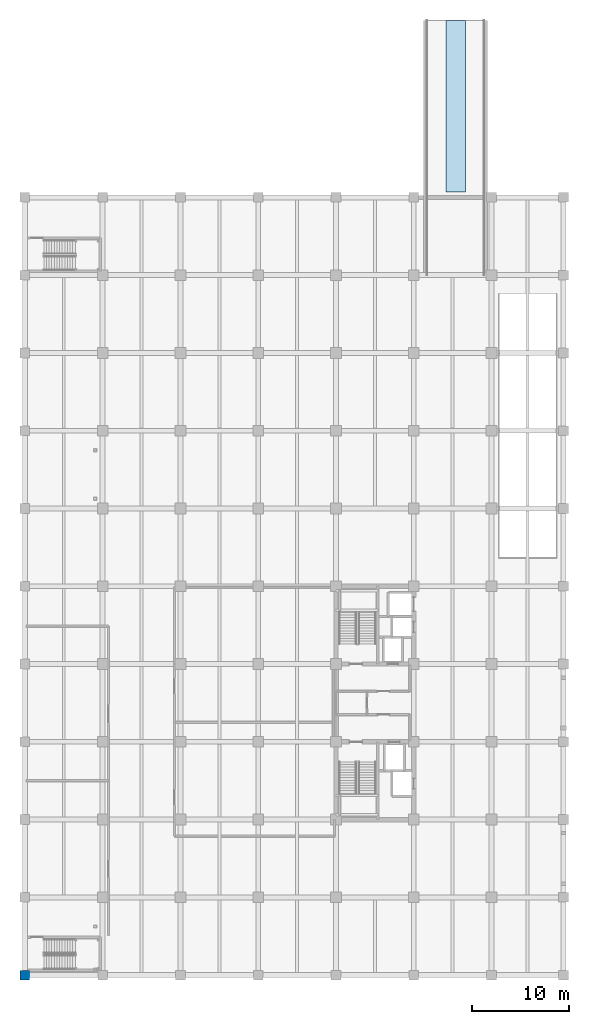
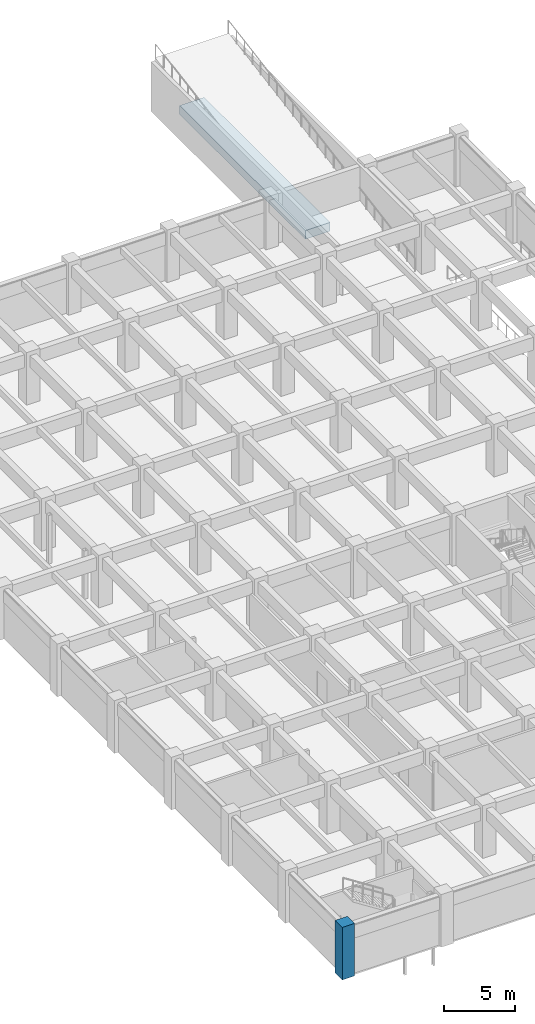
# One storey, part 1 of 16: 1 column, 1 footing.
"""IFC4 building model written with IfcOpenShell, lengths in metres."""

import ifcopenshell
import ifcopenshell.guid

model = None  # the IFC model being written
_history = None  # IfcOwnerHistory: only IFC2X3 demands one
_inside = {}  # id of a spatial element -> (the spatial element, [elements in it])
_under = {}  # id of a project, library or spatial element -> (it, [spatial elements below it])
_declared = {}  # id of a project -> (the project, [libraries it declares])
_typed = {}  # id of a type object -> (the type object, [elements of that type])
_made_of = {}  # id of a material, layer set ... -> (it, [elements and type objects made of it])


def new_model(schema):
    """Start an empty IFC model of exactly this schema.

    Asked for "IFC4X3", IfcOpenShell would pick the latest addendum, in which some entities
    have other attributes; the version numbers below select the first issue.
    IFC2X3 requires an IfcOwnerHistory on every rooted entity: one is made here for all.
    """
    global model, _history
    if schema == "IFC4X3":
        model = ifcopenshell.file(schema_version=(4, 3, 0, 0))
    else:
        model = ifcopenshell.file(schema=schema)
    _inside.clear()
    _under.clear()
    _declared.clear()
    _typed.clear()
    _made_of.clear()
    _history = None
    if model.schema == "IFC2X3":
        org = make("IfcOrganization", Name="unknown")
        user = make(
            "IfcPersonAndOrganization",
            ThePerson=make("IfcPerson", FamilyName="unknown"),
            TheOrganization=org,
        )
        app = make(
            "IfcApplication",
            ApplicationDeveloper=org,
            Version="unknown",
            ApplicationFullName="unknown",
            ApplicationIdentifier="unknown",
        )
        _history = make(
            "IfcOwnerHistory",
            OwningUser=user,
            OwningApplication=app,
            ChangeAction="ADDED",
            CreationDate=0,
        )
    return model


def make(cls, **values):
    """One entity of the class cls with the attributes given. An attribute that is None is left unset."""
    return model.create_entity(
        cls, **{name: value for name, value in values.items() if value is not None}
    )


def rooted(cls, **values):
    """An entity with a GlobalId (a new one), such as an element, a storey or a relation."""
    return make(cls, GlobalId=ifcopenshell.guid.new(), OwnerHistory=_history, **values)


def si_unit(unit_type, name, prefix=None):
    """IfcSIUnit, for example si_unit("LENGTHUNIT", "METRE", prefix="MILLI")."""
    return make("IfcSIUnit", UnitType=unit_type, Prefix=prefix, Name=name)


def assignment(units):
    """IfcUnitAssignment: the units of a project."""
    return None if units is None else make("IfcUnitAssignment", Units=units)


def point(xyz):
    """IfcCartesianPoint."""
    return None if xyz is None else make("IfcCartesianPoint", Coordinates=xyz)


def direction(xyz):
    """IfcDirection."""
    return None if xyz is None else make("IfcDirection", DirectionRatios=xyz)


def frame(location, z_axis=None, x_axis=None):
    """IfcAxis2Placement3D, a coordinate frame: its origin and axes. An axis left out is left unset."""
    return make(
        "IfcAxis2Placement3D",
        Location=point(location),
        Axis=direction(z_axis),
        RefDirection=direction(x_axis),
    )


def frame_2d(location, x_axis=None):
    """IfcAxis2Placement2D, a coordinate frame in the plane: its origin and x axis."""
    return make(
        "IfcAxis2Placement2D", Location=point(location), RefDirection=direction(x_axis)
    )


def origin():
    """The frame at (0, 0, 0) with its axes left unset."""
    return frame((0.0, 0.0, 0.0))


def origin_2d():
    """The frame at (0, 0) in the plane with its x axis left unset."""
    return frame_2d((0.0, 0.0))


def place(relative_to, where):
    """IfcLocalPlacement: puts the frame where relative to a parent placement (None: the world)."""
    return make(
        "IfcLocalPlacement", PlacementRelTo=relative_to, RelativePlacement=where
    )


def context(
    kind, dimensions, precision=None, world=None, true_north=None, identifier=None
):
    """IfcGeometricRepresentationContext, for example the 3D "Model" context."""
    return make(
        "IfcGeometricRepresentationContext",
        ContextIdentifier=identifier,
        ContextType=kind,
        CoordinateSpaceDimension=dimensions,
        Precision=precision,
        WorldCoordinateSystem=world,
        TrueNorth=true_north,
    )


def subcontext(parent, identifier, kind, view, scale=None):
    """IfcGeometricRepresentationSubContext, for example "Body" below "Model"."""
    return make(
        "IfcGeometricRepresentationSubContext",
        ContextIdentifier=identifier,
        ContextType=kind,
        ParentContext=parent,
        TargetScale=scale,
        TargetView=view,
    )


def project(units=None, contexts=None):
    """IfcProject with its units and contexts."""
    return rooted(
        "IfcProject",
        Name="project",
        RepresentationContexts=contexts,
        UnitsInContext=assignment(units),
    )


def spatial(cls, under=None, at=None, **own):
    """A site, building, storey or space (cls), placed at a placement, below another one or the project."""
    s = rooted(cls, ObjectPlacement=at, **own)
    if under is not None:
        _under.setdefault(under.id(), (under, []))[1].append(s)
    return s


def profile(cls, at=None, kind="AREA", **sizes):
    """A parametric profile (cls). Its sizes go by their IFC names, for example OverallWidth=200.0."""
    return make(cls, ProfileType=kind, Position=at, **sizes)


def rectangle(**sizes):
    """IfcRectangleProfileDef."""
    return profile("IfcRectangleProfileDef", **sizes)


def extrude(swept, where, along, depth):
    """IfcExtrudedAreaSolid: the profile swept, set in the frame where, extruded along a direction by depth."""
    return make(
        "IfcExtrudedAreaSolid",
        SweptArea=swept,
        Position=where,
        ExtrudedDirection=direction(along),
        Depth=depth,
    )


def shape(context_of_items, identifier, shape_type, items):
    """IfcShapeRepresentation: the items that make up one representation, for example the "Body"."""
    return make(
        "IfcShapeRepresentation",
        ContextOfItems=context_of_items,
        RepresentationIdentifier=identifier,
        RepresentationType=shape_type,
        Items=items,
    )


def material(Name=None, Category=None):
    """IfcMaterial."""
    return make("IfcMaterial", Name=Name, Category=Category)


def material_profile(
    of_material, cross_section, Name=None, Category=None, Priority=None
):
    """IfcMaterialProfile: a cross section and its material."""
    return make(
        "IfcMaterialProfile",
        Name=Name,
        Material=of_material,
        Profile=cross_section,
        Priority=Priority,
        Category=Category,
    )


def profile_set(profiles, Name=None, composite=None):
    """IfcMaterialProfileSet."""
    return make(
        "IfcMaterialProfileSet",
        Name=Name,
        MaterialProfiles=profiles,
        CompositeProfile=composite,
    )


def made_of(thing, what):
    """Note that an element or type object is made of a material, layer set ...; save() writes the relation."""
    if what is not None:
        _made_of.setdefault(what.id(), (what, []))[1].append(thing)
    return thing


def type_object(cls, material=None, **own):
    """A type object (cls), such as IfcWallType, which elements share."""
    return made_of(rooted(cls, **own), material)


def element(
    cls,
    number,
    at=None,
    inside=None,
    cuts=None,
    type_object=None,
    material=None,
    context=None,
    identifier="Body",
    shape_type=None,
    held_by="IfcProductDefinitionShape",
    body=None,
    shapes=None,
    **own,
):
    """One element of the class cls, such as IfcWall. Its Tag is "e" and its number.

    at: its placement. inside: the storey or other place that contains it. cuts: it is an
    opening in that element (IfcRelVoidsElement). A single representation is given by context,
    identifier, shape_type and body (its items); several are given by shapes. held_by: the class
    of the entity that holds the representations. save() writes the other relations.
    """
    e = rooted(cls, Tag="e%d" % number, ObjectPlacement=at, **own)
    if body is not None:
        shapes = [shape(context, identifier, shape_type, body)]
    if shapes is not None:
        e.Representation = make(held_by, Representations=shapes)
    if inside is not None:
        _inside.setdefault(inside.id(), (inside, []))[1].append(e)
    if cuts is not None:
        rooted(
            "IfcRelVoidsElement", RelatingBuildingElement=cuts, RelatedOpeningElement=e
        )
    if type_object is not None:
        _typed.setdefault(type_object.id(), (type_object, []))[1].append(e)
    return made_of(e, material)


def aggregate(whole, parts):
    """IfcRelAggregates: a whole, such as a stair, and the parts it consists of."""
    return rooted("IfcRelAggregates", RelatingObject=whole, RelatedObjects=parts)


def save(model, path):
    """Write the relations noted so far, then the file.

    IfcRelAggregates (storeys below a building ...), IfcRelContainedInSpatialStructure (elements
    in a storey), IfcRelDefinesByType, IfcRelAssociatesMaterial and IfcRelDeclares: one each for
    every whole, place, type object, material and project.
    """
    for whole, parts in _under.values():
        aggregate(whole, parts)
    for where, things in _inside.values():
        rooted(
            "IfcRelContainedInSpatialStructure",
            RelatedElements=things,
            RelatingStructure=where,
        )
    for kind, things in _typed.values():
        rooted("IfcRelDefinesByType", RelatedObjects=things, RelatingType=kind)
    for what, things in _made_of.values():
        rooted("IfcRelAssociatesMaterial", RelatedObjects=things, RelatingMaterial=what)
    for by, libraries in _declared.values():
        rooted("IfcRelDeclares", RelatingContext=by, RelatedDefinitions=libraries)
    model.write(path)


model = new_model("IFC4")

# Units and contexts
model_context = context("Model", 3, precision=1e-05, world=origin(), true_north=direction((0.0, 1.0)))
body_context = subcontext(model_context, "Body", "Model", "MODEL_VIEW")
ifc_project = project(units=[si_unit("LENGTHUNIT", "METRE"), si_unit("AREAUNIT", "SQUARE_METRE"), si_unit("VOLUMEUNIT", "CUBIC_METRE"), si_unit("PLANEANGLEUNIT", "RADIAN"), si_unit("MASSUNIT", "GRAM", prefix="KILO")], contexts=[model_context])

# Site, building, storey
site_placement = place(None, origin())
site = spatial("IfcSite", under=ifc_project, at=site_placement, CompositionType="ELEMENT")
building_placement = place(site_placement, origin())
building = spatial("IfcBuilding", under=site, at=building_placement, Name="Canggui Botanical Conservatory", CompositionType="ELEMENT")
storey_placement = place(building_placement, frame((0.0, 0.0, -4.5)))
storey = spatial("IfcBuildingStorey", under=building, at=storey_placement, Name="B1", CompositionType="ELEMENT", Elevation=-4.5)

# Footing
ifc_material_1 = material(Name="Concrete C35", Category="concrete")
footing_type = type_object("IfcFootingType", Name="SF-02", PredefinedType="STRIP_FOOTING", material=ifc_material_1)
footing_placement = place(storey_placement, frame((166.300048828125, 115.375, -1.050048828125), z_axis=(0.0, 0.0, 1.0), x_axis=(0.0, 1.0, 0.0)))
element("IfcFooting", 1, at=footing_placement, inside=storey, type_object=footing_type, Name="Vehicle Ramp VR-01 Centerline Strip Footing", PredefinedType="STRIP_FOOTING", context=body_context, shape_type="SweptSolid", body=[
    extrude(rectangle(XDim=17.64990234375, YDim=2.0, at=origin_2d()), origin(), (0.0, 0.0, 1.0), 0.75),
])

# Column
ifc_material_2 = material(Name="Concrete C50", Category="concrete")
ifc_material_profile = material_profile(ifc_material_2, rectangle(XDim=1.0, YDim=1.0, at=origin_2d()), Name="RC 1000x1000")
ifc_profile_set = profile_set([ifc_material_profile], Name="Concrete C50")
column_type = type_object("IfcColumnType", Name="COL-KZ03", PredefinedType="COLUMN", material=ifc_profile_set)
column_placement = place(storey_placement, frame((122.0, 26.0, 0.0), z_axis=(0.0, 0.0, 1.0), x_axis=(1.0, 0.0, 0.0)))
element("IfcColumn", 2, at=column_placement, inside=storey, type_object=column_type, Name="Tower RC Column B1 (122,26)", PredefinedType="COLUMN", context=body_context, shape_type="SweptSolid", body=[
    extrude(rectangle(XDim=1.0, YDim=1.0, at=origin_2d()), origin(), (0.0, 0.0, 1.0), 4.5),
])

save(model, "model.ifc")
